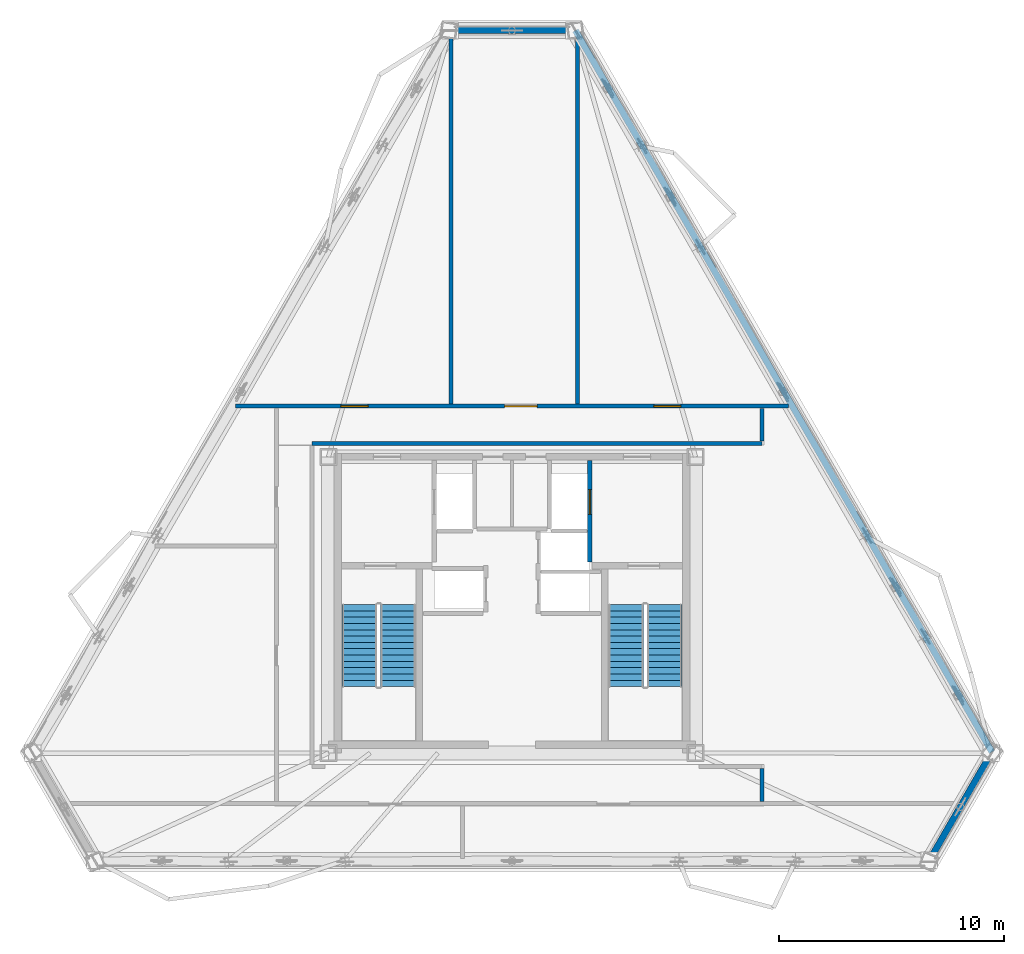
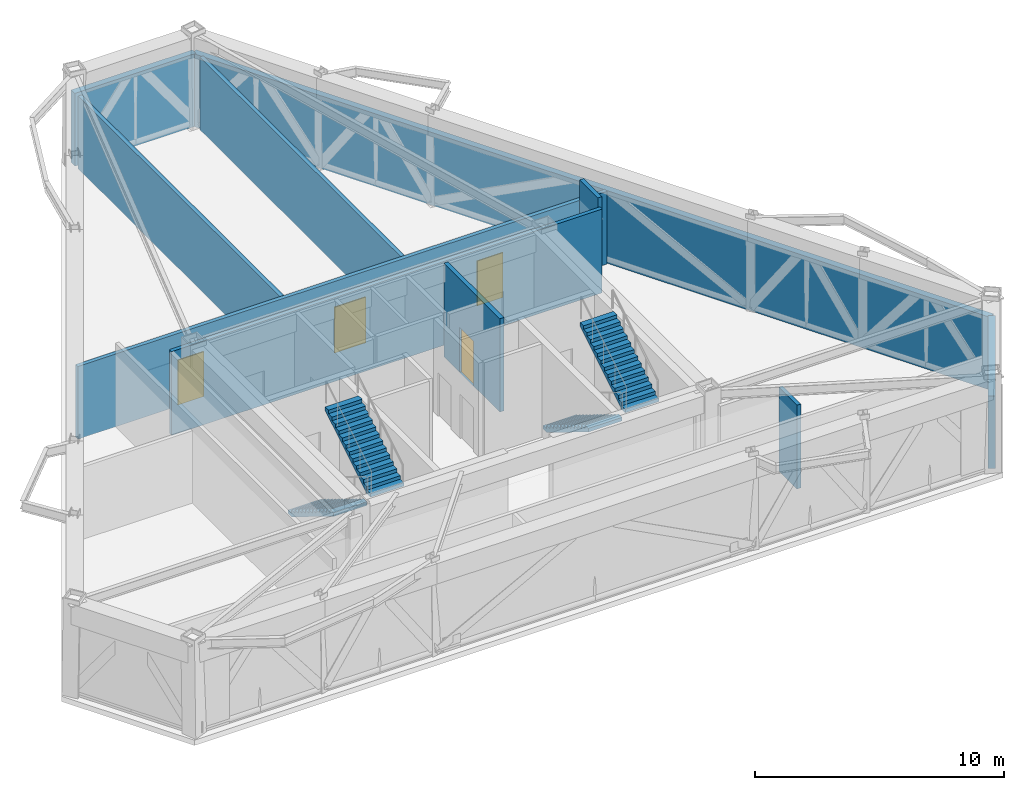
# One storey, part 7 of 10: 10 walls, 4 doors, 4 stair flights, 4 openings, 2 elements without a shape of their own.
"""IFC4 building model written with IfcOpenShell, lengths in metres."""

from ifc_helpers import new_model, si_unit, direction, frame, frame_2d, origin, place, context, subcontext, project, spatial, polyline, rectangle, outline, extrude, material, layer, layer_set, type_object, element, fill, aggregate, save


model = new_model("IFC4")

# Units and contexts
model_context = context("Model", 3, precision=1e-05, world=origin(), true_north=direction((0.0, 1.0)))
body_context = subcontext(model_context, "Body", "Model", "MODEL_VIEW")
ifc_project = project(units=[si_unit("LENGTHUNIT", "METRE"), si_unit("AREAUNIT", "SQUARE_METRE"), si_unit("VOLUMEUNIT", "CUBIC_METRE"), si_unit("PLANEANGLEUNIT", "RADIAN"), si_unit("MASSUNIT", "GRAM", prefix="KILO")], contexts=[model_context])

# Site, building, storey
site_placement = place(None, origin())
site = spatial("IfcSite", under=ifc_project, at=site_placement, CompositionType="ELEMENT")
building_placement = place(site_placement, origin())
building = spatial("IfcBuilding", under=site, at=building_placement, Name="Oramaril Tower", CompositionType="ELEMENT")
storey_placement = place(building_placement, frame((0.0, 0.0, 245.10009765625)))
storey = spatial("IfcBuildingStorey", under=building, at=storey_placement, Name="L65", CompositionType="ELEMENT", Elevation=245.10009765625)

# Walls
ifc_material_1 = material(Name="Warm Cream Limestone", Category="masonry")
ifc_layer_1 = layer(ifc_material_1, 0.2900390625)
ifc_layer_set_1 = layer_set([ifc_layer_1], Name="WT-EXT29")
wall_type_1 = type_object("IfcWallType", Name="WT-EXT29", PredefinedType="SOLIDWALL", material=ifc_layer_set_1)
wall_1_placement = place(storey_placement, frame((56.001220703125, 6.168212890625, 0.0), z_axis=(0.0, 0.0, 1.0), x_axis=(0.499996502575, 0.866027423014, 0.0)))
element("IfcWall", 1, at=wall_1_placement, inside=storey, type_object=wall_type_1, Name="L65 Tower Limestone Facade Wall 3M", PredefinedType="SOLIDWALL", context=body_context, shape_type="SweptSolid", body=[
    extrude(rectangle(XDim=5.62939453125, YDim=0.2900390625, at=frame_2d((2.814697265625, 0.0))), origin(), (0.0, 0.0, 1.0), 3.56982421875),
])
wall_2_placement = place(storey_placement, frame((58.81591796875, 11.04345703125, 0.0), z_axis=(0.0, 0.0, 1.0), x_axis=(-0.500001549208, 0.866024509347, 0.0)))
element("IfcWall", 2, at=wall_2_placement, inside=storey, type_object=wall_type_1, Name="L65 Tower Limestone Facade Wall 4M", PredefinedType="SOLIDWALL", context=body_context, shape_type="SweptSolid", body=[
    extrude(rectangle(XDim=37.00244140625, YDim=0.2900390625, at=frame_2d((18.501220703125, 0.0))), origin(), (0.0, 0.0, 1.0), 3.56982421875),
])
wall_3_placement = place(storey_placement, frame((40.314697265625, 43.08837890625, 0.0), z_axis=(0.0, 0.0, 1.0), x_axis=(-1.0, 0.0, 0.0)))
element("IfcWall", 3, at=wall_3_placement, inside=storey, type_object=wall_type_1, Name="L65 Tower Limestone Facade Wall 5M", PredefinedType="SOLIDWALL", context=body_context, shape_type="SweptSolid", body=[
    extrude(rectangle(XDim=5.62939453125, YDim=0.2900390625, at=frame_2d((2.814697265625, 0.0))), origin(), (0.0, 0.0, 1.0), 3.56982421875),
])
ifc_material_2 = material(Name="Autoclaved Cellular Concrete Block", Category="concrete")
ifc_layer_2 = layer(ifc_material_2, 0.179931640625)
ifc_layer_set_2 = layer_set([ifc_layer_2], Name="WT-PT18")
wall_type_2 = type_object("IfcWallType", Name="WT-PT18", PredefinedType="PARTITIONING", material=ifc_layer_set_2)
wall_4_placement = place(storey_placement, frame((28.6201171875, 24.75, 0.0), z_axis=(0.0, 0.0, 1.0), x_axis=(1.0, 0.0, 0.0)))
element("IfcWall", 4, at=wall_4_placement, inside=storey, type_object=wall_type_2, Name="L65 Interior Partition PT-18", PredefinedType="PARTITIONING", context=body_context, shape_type="SweptSolid", body=[
    extrude(rectangle(XDim=19.97998046875, YDim=0.179931640625, at=frame_2d((9.989990234375, 0.0))), origin(), (0.0, 0.0, 1.0), 4.11279296875),
])

# Wall, openings, doors
wall_5_placement = place(storey_placement, frame((25.222412109375, 26.39990234375, 0.0), z_axis=(0.0, 0.0, 1.0), x_axis=(1.0, 0.0, 0.0)))
wall_5 = element("IfcWall", 5, at=wall_5_placement, inside=storey, type_object=wall_type_2, Name="L65 Interior Partition PT-18", PredefinedType="PARTITIONING", context=body_context, shape_type="SweptSolid", body=[
    extrude(rectangle(XDim=24.55517578125, YDim=0.179931640625, at=frame_2d((12.277587890625, 0.0))), origin(), (0.0, 0.0, 1.0), 3.56982421875),
])
opening_1_placement = place(wall_5_placement, frame((4.68408203125, 0.0, 0.0)))
opening_1 = element("IfcOpeningElement", 6, at=opening_1_placement, cuts=wall_5, Name="Opening D-L65-03", PredefinedType="OPENING", context=body_context, shape_type="SweptSolid", body=[
    extrude(rectangle(XDim=1.199951171875, YDim=2.199951171875, at=frame_2d((0.60009765625, 1.10009765625))), frame((0.0, 0.08984375, 0.0), z_axis=(0.0, -1.0, 0.0), x_axis=(1.0, 0.0, 0.0)), (0.0, 0.0, 1.0), 0.179931640625),
])
opening_2_placement = place(wall_5_placement, frame((11.947509765625, 0.0, 0.0)))
opening_2 = element("IfcOpeningElement", 7, at=opening_2_placement, cuts=wall_5, Name="Opening D-L65-04", PredefinedType="OPENING", context=body_context, shape_type="SweptSolid", body=[
    extrude(rectangle(XDim=1.449951171875, YDim=2.25, at=frame_2d((0.72509765625, 1.125))), frame((0.0, 0.08984375, 0.0), z_axis=(0.0, -1.0, 0.0), x_axis=(1.0, 0.0, 0.0)), (0.0, 0.0, 1.0), 0.179931640625),
])
opening_3_placement = place(wall_5_placement, frame((18.577392578125, 0.0, 0.0)))
opening_3 = element("IfcOpeningElement", 8, at=opening_3_placement, cuts=wall_5, Name="Opening D-L65-05", PredefinedType="OPENING", context=body_context, shape_type="SweptSolid", body=[
    extrude(rectangle(XDim=1.199951171875, YDim=2.199951171875, at=frame_2d((0.60009765625, 1.10009765625))), frame((0.0, 0.08984375, 0.0), z_axis=(0.0, -1.0, 0.0), x_axis=(1.0, 0.0, 0.0)), (0.0, 0.0, 1.0), 0.179931640625),
])
ifc_material_3 = material(Name="Painted Galvanised Steel", Category="steel")
door_type_1 = type_object("IfcDoorType", Name="DT-FFL", OperationType="NOTDEFINED", PredefinedType="DOOR", material=ifc_material_3)
door_1_placement = place(opening_1_placement, origin())
door_1 = element("IfcDoor", 9, at=door_1_placement, inside=storey, type_object=door_type_1, Name="L65 L65 West Refuge Area Door D-L65-03", OperationType="SINGLE_SWING_LEFT", OverallHeight=2.199951171875, OverallWidth=1.199951171875, PredefinedType="DOOR", context=body_context, shape_type="SweptSolid", body=[
    extrude(rectangle(XDim=1.199951171875, YDim=2.199951171875, at=frame_2d((0.60009765625, 1.10009765625))), frame((0.0, 0.02490234375, 0.0), z_axis=(0.0, -1.0, 0.0), x_axis=(1.0, 0.0, 0.0)), (0.0, 0.0, 1.0), 0.050048828125),
])
fill(opening_1, door_1)
door_2_placement = place(opening_3_placement, origin())
door_2 = element("IfcDoor", 10, at=door_2_placement, inside=storey, type_object=door_type_1, Name="L65 L65 East Refuge Area Door D-L65-05", OperationType="SINGLE_SWING_LEFT", OverallHeight=2.199951171875, OverallWidth=1.199951171875, PredefinedType="DOOR", context=body_context, shape_type="SweptSolid", body=[
    extrude(rectangle(XDim=1.199951171875, YDim=2.199951171875, at=frame_2d((0.60009765625, 1.10009765625))), frame((0.0, 0.02490234375, 0.0), z_axis=(0.0, -1.0, 0.0), x_axis=(1.0, 0.0, 0.0)), (0.0, 0.0, 1.0), 0.050048828125),
])
fill(opening_3, door_2)
ifc_material_4 = material(Name="Painted Galvanised Steel", Category="steel")
door_type_2 = type_object("IfcDoorType", Name="DT-PLT", OperationType="NOTDEFINED", PredefinedType="DOOR", material=ifc_material_4)
door_3_placement = place(opening_2_placement, origin())
door_3 = element("IfcDoor", 11, at=door_3_placement, inside=storey, type_object=door_type_2, Name="L65 L65 Stair Pressurisation Plant Room Door D-L65-04", OperationType="SINGLE_SWING_RIGHT", OverallHeight=2.25, OverallWidth=1.449951171875, PredefinedType="DOOR", context=body_context, shape_type="SweptSolid", body=[
    extrude(rectangle(XDim=1.449951171875, YDim=2.25, at=frame_2d((0.72509765625, 1.125))), frame((0.0, 0.02490234375, 0.0), z_axis=(0.0, -1.0, 0.0), x_axis=(1.0, 0.0, 0.0)), (0.0, 0.0, 1.0), 0.050048828125),
])
fill(opening_2, door_3)

# Walls
wall_6_placement = place(storey_placement, frame((34.800048828125, 26.493896484375, 0.0), z_axis=(0.0, 0.0, 1.0), x_axis=(0.0, 1.0, 0.0)))
element("IfcWall", 12, at=wall_6_placement, inside=storey, type_object=wall_type_2, Name="L65 Interior Partition PT-18", PredefinedType="PARTITIONING", context=body_context, shape_type="SweptSolid", body=[
    extrude(rectangle(XDim=16.224609375, YDim=0.179931640625, at=frame_2d((8.1123046875, 0.0))), origin(), (0.0, 0.0, 1.0), 3.56982421875),
])
wall_7_placement = place(storey_placement, frame((40.39990234375, 26.493896484375, 0.0), z_axis=(0.0, 0.0, 1.0), x_axis=(0.0, 1.0, 0.0)))
element("IfcWall", 13, at=wall_7_placement, inside=storey, type_object=wall_type_2, Name="L65 Interior Partition PT-18", PredefinedType="PARTITIONING", context=body_context, shape_type="SweptSolid", body=[
    extrude(rectangle(XDim=16.148681640625, YDim=0.179931640625, at=frame_2d((8.07421875, 0.0))), origin(), (0.0, 0.0, 1.0), 3.56982421875),
])
wall_8_placement = place(storey_placement, frame((48.60009765625, 8.843994140625, 0.0), z_axis=(0.0, 0.0, 1.0), x_axis=(0.0, 1.0, 0.0)))
element("IfcWall", 14, at=wall_8_placement, inside=storey, type_object=wall_type_2, Name="L65 Interior Partition PT-18", PredefinedType="PARTITIONING", context=body_context, shape_type="SweptSolid", body=[
    extrude(rectangle(XDim=1.4619140625, YDim=0.179931640625, at=frame_2d((0.73095703125, 0.0))), origin(), (0.0, 0.0, 1.0), 4.11279296875),
])
wall_9_placement = place(storey_placement, frame((48.60009765625, 24.843994140625, 0.0), z_axis=(0.0, 0.0, 1.0), x_axis=(0.0, 1.0, 0.0)))
element("IfcWall", 15, at=wall_9_placement, inside=storey, type_object=wall_type_2, Name="L65 Interior Partition PT-18", PredefinedType="PARTITIONING", context=body_context, shape_type="SweptSolid", body=[
    extrude(rectangle(XDim=1.4619140625, YDim=0.179931640625, at=frame_2d((0.73095703125, 0.0))), origin(), (0.0, 0.0, 1.0), 4.579833984375),
])

# Wall, opening, door
ifc_material_5 = material(Name="Autoclaved Cellular Concrete Block", Category="concrete")
ifc_layer_3 = layer(ifc_material_5, 0.199951171875)
ifc_layer_set_3 = layer_set([ifc_layer_3], Name="WT-SHF20")
wall_type_3 = type_object("IfcWallType", Name="WT-SHF20", PredefinedType="PARTITIONING", material=ifc_layer_set_3)
wall_10_placement = place(storey_placement, frame((40.9599609375, 19.47998046875, 0.0), z_axis=(0.0, 0.0, 1.0), x_axis=(0.0, 1.0, 0.0)))
wall_10 = element("IfcWall", 16, at=wall_10_placement, inside=storey, type_object=wall_type_3, Name="L65 FL-2 Lobby Shaft Wall", PredefinedType="PARTITIONING", context=body_context, shape_type="SweptSolid", body=[
    extrude(rectangle(XDim=4.5, YDim=0.199951171875, at=frame_2d((2.25, 0.0))), origin(), (0.0, 0.0, 1.0), 4.579833984375),
])
opening_4_placement = place(wall_10_placement, frame((2.1201171875, 0.0, 0.0)))
opening_4 = element("IfcOpeningElement", 17, at=opening_4_placement, cuts=wall_10, Name="Opening LD-L65-FL-2", PredefinedType="OPENING", context=body_context, shape_type="SweptSolid", body=[
    extrude(rectangle(XDim=1.10009765625, YDim=2.199951171875, at=frame_2d((0.550048828125, 1.10009765625))), frame((0.0, 0.10009765625, 0.0), z_axis=(0.0, -1.0, 0.0), x_axis=(1.0, 0.0, 0.0)), (0.0, 0.0, 1.0), 0.199951171875),
])
ifc_material_6 = material(Name="Stainless Steel 316L", Category="steel")
door_type_3 = type_object("IfcDoorType", Name="DT-LD1", OperationType="NOTDEFINED", PredefinedType="DOOR", material=ifc_material_6)
door_4_placement = place(opening_4_placement, origin())
door_4 = element("IfcDoor", 18, at=door_4_placement, inside=storey, type_object=door_type_3, Name="L65 Lift FL-2 Sliding Landing Door", OperationType="SLIDING_TO_RIGHT", OverallHeight=2.199951171875, OverallWidth=1.10009765625, PredefinedType="DOOR", context=body_context, shape_type="SweptSolid", body=[
    extrude(rectangle(XDim=1.10009765625, YDim=2.199951171875, at=frame_2d((0.550048828125, 1.10009765625))), frame((0.0, 0.02490234375, 0.0), z_axis=(0.0, -1.0, 0.0), x_axis=(1.0, 0.0, 0.0)), (0.0, 0.0, 1.0), 0.050048828125),
])
fill(opening_4, door_4)

# Stair, stair flights
ifc_material_7 = material(Name="Concrete C50/60", Category="concrete")
stair_type = type_object("IfcStairType", Name="STT-DG-4800", PredefinedType="HALF_TURN_STAIR", material=ifc_material_7)
stair_1_placement = place(storey_placement, origin())
stair_1 = element("IfcStair", 19, at=stair_1_placement, inside=storey, type_object=stair_type, Name="L65 Protected PFP Exit Stair ST-1", PredefinedType="HALF_TURN_STAIR")
ifc_material_8 = material(Name="Concrete C50/60", Category="concrete")
stair_flight_type = type_object("IfcStairFlightType", Name="SFT-DG-4800", PredefinedType="STRAIGHT", material=ifc_material_8)
stair_flight_1_placement = place(storey_placement, frame((30.72998046875, 17.590087890625, 0.0), z_axis=(0.0, 0.0, 1.0), x_axis=(0.0, -1.0, 0.0)))
stair_flight_1 = element("IfcStairFlight", 20, at=stair_flight_1_placement, type_object=stair_flight_type, Name="ST-1 flight 1", NumberOfRisers=14, NumberOfTreads=13, PredefinedType="STRAIGHT", RiserHeight=0.171428571, TreadLength=0.28, context=body_context, shape_type="SweptSolid", body=[
    extrude(outline(polyline([(0.0, 0.0), (0.0, 0.17138671875), (0.280029296875, 0.17138671875), (0.280029296875, 0.3427734375), (0.56005859375, 0.3427734375), (0.56005859375, 0.514404296875), (0.840087890625, 0.514404296875), (0.840087890625, 0.685791015625), (1.1201171875, 0.685791015625), (1.1201171875, 0.857177734375), (1.39990234375, 0.857177734375), (1.39990234375, 1.028564453125), (1.679931640625, 1.028564453125), (1.679931640625, 1.199951171875), (1.9599609375, 1.199951171875), (1.9599609375, 1.371337890625), (2.239990234375, 1.371337890625), (2.239990234375, 1.54296875), (2.52001953125, 1.54296875), (2.52001953125, 1.71435546875), (2.800048828125, 1.71435546875), (2.800048828125, 1.8857421875), (3.080078125, 1.8857421875), (3.080078125, 2.05712890625), (3.360107421875, 2.05712890625), (3.360107421875, 2.228515625), (3.639892578125, 2.228515625), (3.639892578125, 2.39990234375), (3.639892578125, 2.052734375), (0.287109375, 0.0), (0.0, 0.0)])), frame((0.0, 0.780029296875, 0.0), z_axis=(0.0, -1.0, 0.0), x_axis=(1.0, 0.0, 0.0)), (0.0, 0.0, 1.0), 1.56005859375),
])
stair_flight_2_placement = place(storey_placement, frame((32.43994140625, 13.949951171875, 2.39990234375), z_axis=(0.0, 0.0, 1.0), x_axis=(0.0, 1.0, 0.0)))
stair_flight_2 = element("IfcStairFlight", 21, at=stair_flight_2_placement, type_object=stair_flight_type, Name="ST-1 flight 2", NumberOfRisers=14, NumberOfTreads=13, PredefinedType="STRAIGHT", RiserHeight=0.171428571, TreadLength=0.28, context=body_context, shape_type="SweptSolid", body=[
    extrude(outline(polyline([(0.0, 0.0), (0.0, 0.17138671875), (0.280029296875, 0.17138671875), (0.280029296875, 0.3427734375), (0.56005859375, 0.3427734375), (0.56005859375, 0.514404296875), (0.840087890625, 0.514404296875), (0.840087890625, 0.685791015625), (1.1201171875, 0.685791015625), (1.1201171875, 0.857177734375), (1.39990234375, 0.857177734375), (1.39990234375, 1.028564453125), (1.679931640625, 1.028564453125), (1.679931640625, 1.199951171875), (1.9599609375, 1.199951171875), (1.9599609375, 1.371337890625), (2.239990234375, 1.371337890625), (2.239990234375, 1.54296875), (2.52001953125, 1.54296875), (2.52001953125, 1.71435546875), (2.800048828125, 1.71435546875), (2.800048828125, 1.8857421875), (3.080078125, 1.8857421875), (3.080078125, 2.05712890625), (3.360107421875, 2.05712890625), (3.360107421875, 2.228515625), (3.639892578125, 2.228515625), (3.639892578125, 2.39990234375), (3.639892578125, 2.052734375), (0.287109375, 0.0), (0.0, 0.0)])), frame((0.0, 0.780029296875, 0.0), z_axis=(0.0, -1.0, 0.0), x_axis=(1.0, 0.0, 0.0)), (0.0, 0.0, 1.0), 1.56005859375),
])
aggregate(stair_1, [stair_flight_1, stair_flight_2])

stair_2_placement = place(storey_placement, origin())
stair_2 = element("IfcStair", 22, at=stair_2_placement, inside=storey, type_object=stair_type, Name="L65 Protected PFP Exit Stair ST-2", PredefinedType="HALF_TURN_STAIR")
stair_flight_3_placement = place(storey_placement, frame((42.56005859375, 17.590087890625, 0.0), z_axis=(0.0, 0.0, 1.0), x_axis=(0.0, -1.0, 0.0)))
stair_flight_3 = element("IfcStairFlight", 23, at=stair_flight_3_placement, type_object=stair_flight_type, Name="ST-2 flight 1", NumberOfRisers=14, NumberOfTreads=13, PredefinedType="STRAIGHT", RiserHeight=0.171428571, TreadLength=0.28, context=body_context, shape_type="SweptSolid", body=[
    extrude(outline(polyline([(0.0, 0.0), (0.0, 0.17138671875), (0.280029296875, 0.17138671875), (0.280029296875, 0.3427734375), (0.56005859375, 0.3427734375), (0.56005859375, 0.514404296875), (0.840087890625, 0.514404296875), (0.840087890625, 0.685791015625), (1.1201171875, 0.685791015625), (1.1201171875, 0.857177734375), (1.39990234375, 0.857177734375), (1.39990234375, 1.028564453125), (1.679931640625, 1.028564453125), (1.679931640625, 1.199951171875), (1.9599609375, 1.199951171875), (1.9599609375, 1.371337890625), (2.239990234375, 1.371337890625), (2.239990234375, 1.54296875), (2.52001953125, 1.54296875), (2.52001953125, 1.71435546875), (2.800048828125, 1.71435546875), (2.800048828125, 1.8857421875), (3.080078125, 1.8857421875), (3.080078125, 2.05712890625), (3.360107421875, 2.05712890625), (3.360107421875, 2.228515625), (3.639892578125, 2.228515625), (3.639892578125, 2.39990234375), (3.639892578125, 2.052734375), (0.287109375, 0.0), (0.0, 0.0)])), frame((0.0, 0.780029296875, 0.0), z_axis=(0.0, -1.0, 0.0), x_axis=(1.0, 0.0, 0.0)), (0.0, 0.0, 1.0), 1.56005859375),
])
stair_flight_4_placement = place(storey_placement, frame((44.27001953125, 13.949951171875, 2.39990234375), z_axis=(0.0, 0.0, 1.0), x_axis=(0.0, 1.0, 0.0)))
stair_flight_4 = element("IfcStairFlight", 24, at=stair_flight_4_placement, type_object=stair_flight_type, Name="ST-2 flight 2", NumberOfRisers=14, NumberOfTreads=13, PredefinedType="STRAIGHT", RiserHeight=0.171428571, TreadLength=0.28, context=body_context, shape_type="SweptSolid", body=[
    extrude(outline(polyline([(0.0, 0.0), (0.0, 0.17138671875), (0.280029296875, 0.17138671875), (0.280029296875, 0.3427734375), (0.56005859375, 0.3427734375), (0.56005859375, 0.514404296875), (0.840087890625, 0.514404296875), (0.840087890625, 0.685791015625), (1.1201171875, 0.685791015625), (1.1201171875, 0.857177734375), (1.39990234375, 0.857177734375), (1.39990234375, 1.028564453125), (1.679931640625, 1.028564453125), (1.679931640625, 1.199951171875), (1.9599609375, 1.199951171875), (1.9599609375, 1.371337890625), (2.239990234375, 1.371337890625), (2.239990234375, 1.54296875), (2.52001953125, 1.54296875), (2.52001953125, 1.71435546875), (2.800048828125, 1.71435546875), (2.800048828125, 1.8857421875), (3.080078125, 1.8857421875), (3.080078125, 2.05712890625), (3.360107421875, 2.05712890625), (3.360107421875, 2.228515625), (3.639892578125, 2.228515625), (3.639892578125, 2.39990234375), (3.639892578125, 2.052734375), (0.287109375, 0.0), (0.0, 0.0)])), frame((0.0, 0.780029296875, 0.0), z_axis=(0.0, -1.0, 0.0), x_axis=(1.0, 0.0, 0.0)), (0.0, 0.0, 1.0), 1.56005859375),
])
aggregate(stair_2, [stair_flight_3, stair_flight_4])

save(model, "model.ifc")
